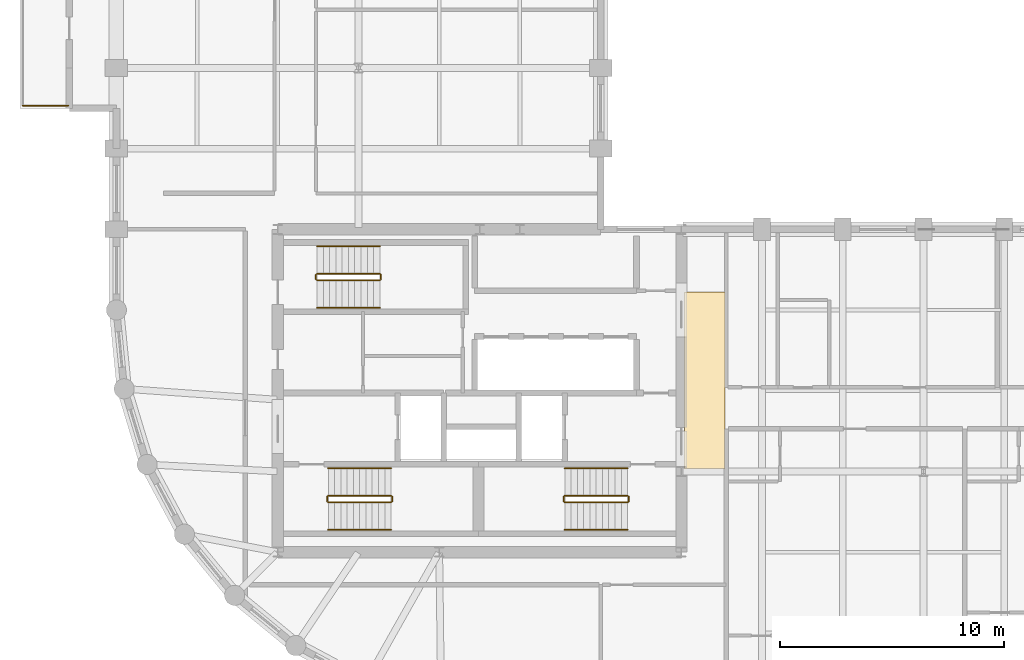
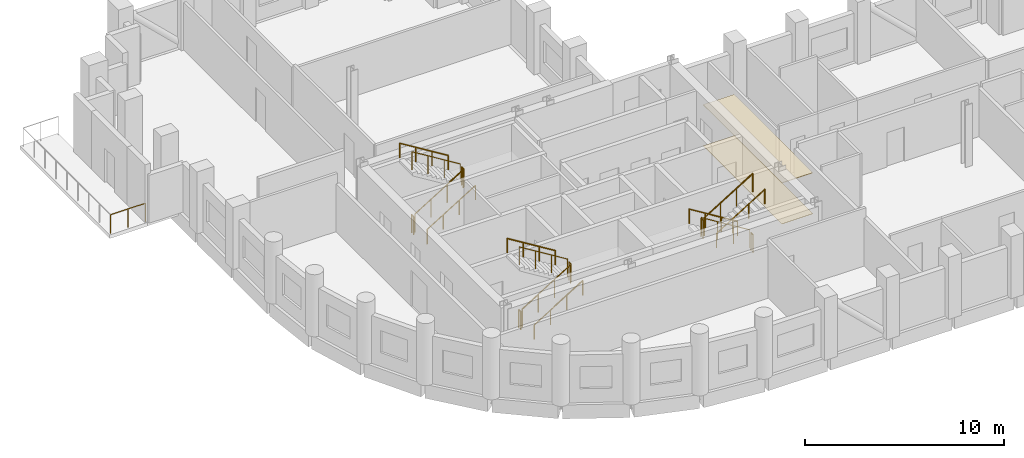
# One storey, part 8 of 9: 19 railings, 2 coverings.
"""IFC4 building model written with IfcOpenShell, lengths in metres."""

from ifc_helpers import new_model, si_unit, direction, frame, origin, origin_2d, place, context, subcontext, project, spatial, polyline, circle, outline, extrude, material, layer, layer_set, type_object, element, save


model = new_model("IFC4")

# Units and contexts
model_context = context("Model", 3, precision=1e-05, world=origin(), true_north=direction((0.0, 1.0)))
body_context = subcontext(model_context, "Body", "Model", "MODEL_VIEW")
ifc_project = project(units=[si_unit("LENGTHUNIT", "METRE"), si_unit("AREAUNIT", "SQUARE_METRE"), si_unit("VOLUMEUNIT", "CUBIC_METRE"), si_unit("PLANEANGLEUNIT", "RADIAN"), si_unit("MASSUNIT", "GRAM", prefix="KILO")], contexts=[model_context])

# Site, building, storey
site_placement = place(None, origin())
site = spatial("IfcSite", under=ifc_project, at=site_placement, CompositionType="ELEMENT")
building_placement = place(site_placement, origin())
building = spatial("IfcBuilding", under=site, at=building_placement, Name="Solnavia Interchange Tower", CompositionType="ELEMENT")
storey_placement = place(building_placement, frame((0.0, 0.0, 154.199951171875)))
storey = spatial("IfcBuildingStorey", under=building, at=storey_placement, Name="L38", CompositionType="ELEMENT", Elevation=154.199951171875)

# Coverings
ifc_material_1 = material(Name="Perforated Mineral-Fibre & Gypsum Ceiling", Category="gypsum")
ifc_layer_1 = layer(ifc_material_1, 0.0400390625)
ifc_layer_set_1 = layer_set([ifc_layer_1], Name="Perforated Mineral-Fibre & Gypsum Ceiling")
covering_type_1 = type_object("IfcCoveringType", Name="Covering-Ceiling-Acoustic40", PredefinedType="CEILING", material=ifc_layer_set_1)
covering_1_placement = place(storey_placement, frame((0.0, 0.0, 2.5)))
element("IfcCovering", 1, at=covering_1_placement, inside=storey, type_object=covering_type_1, Name="CLG-L38-01 Circulation suspended acoustic ceiling", PredefinedType="CEILING", context=body_context, shape_type="SweptSolid", body=[
    extrude(outline(polyline([(32.550048828125, 14.5), (34.35009765625, 14.5), (34.35009765625, 22.39990234375), (32.550048828125, 22.39990234375), (32.550048828125, 14.5)])), origin(), (0.0, 0.0, 1.0), 0.0400390625),
])
ifc_material_2 = material(Name="Engineered European Oak Flooring", Category="wood")
ifc_layer_2 = layer(ifc_material_2, 0.02001953125)
ifc_layer_set_2 = layer_set([ifc_layer_2], Name="Engineered European Oak Flooring")
covering_type_2 = type_object("IfcCoveringType", Name="Covering-Flooring-Timber20", PredefinedType="FLOORING", material=ifc_layer_set_2)
covering_2_placement = place(storey_placement, origin())
element("IfcCovering", 2, at=covering_2_placement, inside=storey, type_object=covering_type_2, Name="FLR-L38-01 Circulation floor finish", PredefinedType="FLOORING", context=body_context, shape_type="SweptSolid", body=[
    extrude(outline(polyline([(32.550048828125, 14.5), (34.35009765625, 14.5), (34.35009765625, 22.39990234375), (32.550048828125, 22.39990234375), (32.550048828125, 14.5)])), origin(), (0.0, 0.0, 1.0), 0.02001953125),
])

# Railings
ifc_material_3 = material(Name="Painted Steel Balustrade", Category="steel")
railing_type_1 = type_object("IfcRailingType", Name="Railing-StairGuard-1100", PredefinedType="GUARDRAIL", material=ifc_material_3)
railing_1_placement = place(storey_placement, frame((16.64990234375, 13.02001953125, 0.1728515625)))
element("IfcRailing", 3, at=railing_1_placement, inside=storey, type_object=railing_type_1, Name="L38 ST-1 stair guard 1", PredefinedType="GUARDRAIL", context=body_context, shape_type="SweptSolid", body=[
    extrude(circle(Radius=0.02392578125, at=origin_2d()), frame((0.0, 0.0, 1.09619140625), z_axis=(0.851089632645, 0.0, 0.525020415988), x_axis=(0.0, 1.0, 0.0)), (0.0, 0.0, 1.0), 3.2900390625),
    extrude(circle(Radius=0.02099609375, at=origin_2d()), origin(), (0.0, 0.0, 1.0), 1.072021484375),
    extrude(circle(Radius=0.02099609375, at=origin_2d()), frame((0.933349609375, 0.0, 0.57568359375)), (0.0, 0.0, 1.0), 1.072021484375),
    extrude(circle(Radius=0.02099609375, at=origin_2d()), frame((1.86669921875, 0.0, 1.151611328125)), (0.0, 0.0, 1.0), 1.072021484375),
    extrude(circle(Radius=0.02099609375, at=origin_2d()), frame((2.800048828125, 0.0, 1.727294921875)), (0.0, 0.0, 1.0), 1.072021484375),
])
railing_2_placement = place(storey_placement, frame((19.5, 13.070068359375, 1.900146484375)))
element("IfcRailing", 4, at=railing_2_placement, inside=storey, type_object=railing_type_1, Name="L38 ST-1 stair guard 2", PredefinedType="GUARDRAIL", context=body_context, shape_type="SweptSolid", body=[
    extrude(circle(Radius=0.02392578125, at=origin_2d()), frame((0.0, 0.0, 1.09619140625), z_axis=(0.0, 1.0, 0.0), x_axis=(-1.0, 0.0, 0.0)), (0.0, 0.0, 1.0), 0.199951171875),
    extrude(circle(Radius=0.02099609375, at=origin_2d()), origin(), (0.0, 0.0, 1.0), 1.072021484375),
    extrude(circle(Radius=0.02099609375, at=origin_2d()), frame((0.0, 0.199951171875, 0.0)), (0.0, 0.0, 1.0), 1.072021484375),
])
railing_3_placement = place(storey_placement, frame((19.449951171875, 13.320068359375, 2.07275390625)))
element("IfcRailing", 5, at=railing_3_placement, inside=storey, type_object=railing_type_1, Name="L38 ST-1 stair guard 3", PredefinedType="GUARDRAIL", context=body_context, shape_type="SweptSolid", body=[
    extrude(circle(Radius=0.02392578125, at=origin_2d()), frame((0.0, 0.0, 1.09619140625), z_axis=(-0.851089632645, 0.0, 0.525020415988), x_axis=(0.0, -1.0, 0.0)), (0.0, 0.0, 1.0), 3.2900390625),
    extrude(circle(Radius=0.02099609375, at=origin_2d()), origin(), (0.0, 0.0, 1.0), 1.072021484375),
    extrude(circle(Radius=0.02099609375, at=origin_2d()), frame((-0.933349609375, 0.0, 0.57568359375)), (0.0, 0.0, 1.0), 1.072021484375),
    extrude(circle(Radius=0.02099609375, at=origin_2d()), frame((-1.86669921875, 0.0, 1.151611328125)), (0.0, 0.0, 1.0), 1.072021484375),
    extrude(circle(Radius=0.02099609375, at=origin_2d()), frame((-2.800048828125, 0.0, 1.727294921875)), (0.0, 0.0, 1.0), 1.072021484375),
])
railing_4_placement = place(storey_placement, frame((16.60009765625, 13.070068359375, 0.0)))
element("IfcRailing", 6, at=railing_4_placement, inside=storey, type_object=railing_type_1, Name="L38 ST-1 stair guard 4", PredefinedType="GUARDRAIL", context=body_context, shape_type="SweptSolid", body=[
    extrude(circle(Radius=0.02392578125, at=origin_2d()), frame((0.0, 0.0, 1.09619140625), z_axis=(0.0, 1.0, 0.0), x_axis=(-1.0, 0.0, 0.0)), (0.0, 0.0, 1.0), 0.199951171875),
    extrude(circle(Radius=0.02099609375, at=origin_2d()), origin(), (0.0, 0.0, 1.0), 1.072021484375),
    extrude(circle(Radius=0.02099609375, at=origin_2d()), frame((0.0, 0.199951171875, 0.0)), (0.0, 0.0, 1.0), 1.072021484375),
])
railing_5_placement = place(storey_placement, frame((30.0, 13.320068359375, 0.1728515625)))
element("IfcRailing", 7, at=railing_5_placement, inside=storey, type_object=railing_type_1, Name="L38 ST-2 stair guard 1", PredefinedType="GUARDRAIL", context=body_context, shape_type="SweptSolid", body=[
    extrude(circle(Radius=0.02392578125, at=origin_2d()), frame((0.0, 0.0, 1.09619140625), z_axis=(-0.851089632645, 0.0, 0.525020415988), x_axis=(0.0, -1.0, 0.0)), (0.0, 0.0, 1.0), 3.2900390625),
    extrude(circle(Radius=0.02099609375, at=origin_2d()), origin(), (0.0, 0.0, 1.0), 1.072021484375),
    extrude(circle(Radius=0.02099609375, at=origin_2d()), frame((-0.933349609375, 0.0, 0.57568359375)), (0.0, 0.0, 1.0), 1.072021484375),
    extrude(circle(Radius=0.02099609375, at=origin_2d()), frame((-1.86669921875, 0.0, 1.151611328125)), (0.0, 0.0, 1.0), 1.072021484375),
    extrude(circle(Radius=0.02099609375, at=origin_2d()), frame((-2.800048828125, 0.0, 1.727294921875)), (0.0, 0.0, 1.0), 1.072021484375),
])
railing_6_placement = place(storey_placement, frame((27.14990234375, 13.27001953125, 1.900146484375)))
element("IfcRailing", 8, at=railing_6_placement, inside=storey, type_object=railing_type_1, Name="L38 ST-2 stair guard 2", PredefinedType="GUARDRAIL", context=body_context, shape_type="SweptSolid", body=[
    extrude(circle(Radius=0.02392578125, at=origin_2d()), frame((0.0, 0.0, 1.09619140625), z_axis=(0.0, -1.0, 0.0), x_axis=(1.0, 0.0, 0.0)), (0.0, 0.0, 1.0), 0.199951171875),
    extrude(circle(Radius=0.02099609375, at=origin_2d()), origin(), (0.0, 0.0, 1.0), 1.072021484375),
    extrude(circle(Radius=0.02099609375, at=origin_2d()), frame((0.0, -0.199951171875, 0.0)), (0.0, 0.0, 1.0), 1.072021484375),
])
railing_7_placement = place(storey_placement, frame((27.199951171875, 13.02001953125, 2.07275390625)))
element("IfcRailing", 9, at=railing_7_placement, inside=storey, type_object=railing_type_1, Name="L38 ST-2 stair guard 3", PredefinedType="GUARDRAIL", context=body_context, shape_type="SweptSolid", body=[
    extrude(circle(Radius=0.02392578125, at=origin_2d()), frame((0.0, 0.0, 1.09619140625), z_axis=(0.851089632645, 0.0, 0.525020415988), x_axis=(0.0, 1.0, 0.0)), (0.0, 0.0, 1.0), 3.2900390625),
    extrude(circle(Radius=0.02099609375, at=origin_2d()), origin(), (0.0, 0.0, 1.0), 1.072021484375),
    extrude(circle(Radius=0.02099609375, at=origin_2d()), frame((0.933349609375, 0.0, 0.57568359375)), (0.0, 0.0, 1.0), 1.072021484375),
    extrude(circle(Radius=0.02099609375, at=origin_2d()), frame((1.86669921875, 0.0, 1.151611328125)), (0.0, 0.0, 1.0), 1.072021484375),
    extrude(circle(Radius=0.02099609375, at=origin_2d()), frame((2.800048828125, 0.0, 1.727294921875)), (0.0, 0.0, 1.0), 1.072021484375),
])
railing_8_placement = place(storey_placement, frame((30.050048828125, 13.27001953125, 0.0)))
element("IfcRailing", 10, at=railing_8_placement, inside=storey, type_object=railing_type_1, Name="L38 ST-2 stair guard 4", PredefinedType="GUARDRAIL", context=body_context, shape_type="SweptSolid", body=[
    extrude(circle(Radius=0.02392578125, at=origin_2d()), frame((0.0, 0.0, 1.09619140625), z_axis=(0.0, -1.0, 0.0), x_axis=(1.0, 0.0, 0.0)), (0.0, 0.0, 1.0), 0.199951171875),
    extrude(circle(Radius=0.02099609375, at=origin_2d()), origin(), (0.0, 0.0, 1.0), 1.072021484375),
    extrude(circle(Radius=0.02099609375, at=origin_2d()), frame((0.0, -0.199951171875, 0.0)), (0.0, 0.0, 1.0), 1.072021484375),
])
railing_9_placement = place(storey_placement, frame((16.14990234375, 22.919921875, 0.1728515625)))
element("IfcRailing", 11, at=railing_9_placement, inside=storey, type_object=railing_type_1, Name="L38 ST-3 stair guard 1", PredefinedType="GUARDRAIL", context=body_context, shape_type="SweptSolid", body=[
    extrude(circle(Radius=0.02392578125, at=origin_2d()), frame((0.0, 0.0, 1.09619140625), z_axis=(0.851089632645, 0.0, 0.525020415988), x_axis=(0.0, 1.0, 0.0)), (0.0, 0.0, 1.0), 3.2900390625),
    extrude(circle(Radius=0.02099609375, at=origin_2d()), origin(), (0.0, 0.0, 1.0), 1.072021484375),
    extrude(circle(Radius=0.02099609375, at=origin_2d()), frame((0.933349609375, 0.0, 0.57568359375)), (0.0, 0.0, 1.0), 1.072021484375),
    extrude(circle(Radius=0.02099609375, at=origin_2d()), frame((1.86669921875, 0.0, 1.151611328125)), (0.0, 0.0, 1.0), 1.072021484375),
    extrude(circle(Radius=0.02099609375, at=origin_2d()), frame((2.800048828125, 0.0, 1.727294921875)), (0.0, 0.0, 1.0), 1.072021484375),
])
railing_10_placement = place(storey_placement, frame((19.0, 22.969970703125, 1.900146484375)))
element("IfcRailing", 12, at=railing_10_placement, inside=storey, type_object=railing_type_1, Name="L38 ST-3 stair guard 2", PredefinedType="GUARDRAIL", context=body_context, shape_type="SweptSolid", body=[
    extrude(circle(Radius=0.02392578125, at=origin_2d()), frame((0.0, 0.0, 1.09619140625), z_axis=(0.0, 1.0, 0.0), x_axis=(-1.0, 0.0, 0.0)), (0.0, 0.0, 1.0), 0.199951171875),
    extrude(circle(Radius=0.02099609375, at=origin_2d()), origin(), (0.0, 0.0, 1.0), 1.072021484375),
    extrude(circle(Radius=0.02099609375, at=origin_2d()), frame((0.0, 0.199951171875, 0.0)), (0.0, 0.0, 1.0), 1.072021484375),
])
railing_11_placement = place(storey_placement, frame((18.949951171875, 23.219970703125, 2.07275390625)))
element("IfcRailing", 13, at=railing_11_placement, inside=storey, type_object=railing_type_1, Name="L38 ST-3 stair guard 3", PredefinedType="GUARDRAIL", context=body_context, shape_type="SweptSolid", body=[
    extrude(circle(Radius=0.02392578125, at=origin_2d()), frame((0.0, 0.0, 1.09619140625), z_axis=(-0.851089632645, 0.0, 0.525020415988), x_axis=(0.0, -1.0, 0.0)), (0.0, 0.0, 1.0), 3.2900390625),
    extrude(circle(Radius=0.02099609375, at=origin_2d()), origin(), (0.0, 0.0, 1.0), 1.072021484375),
    extrude(circle(Radius=0.02099609375, at=origin_2d()), frame((-0.933349609375, 0.0, 0.57568359375)), (0.0, 0.0, 1.0), 1.072021484375),
    extrude(circle(Radius=0.02099609375, at=origin_2d()), frame((-1.86669921875, 0.0, 1.151611328125)), (0.0, 0.0, 1.0), 1.072021484375),
    extrude(circle(Radius=0.02099609375, at=origin_2d()), frame((-2.800048828125, 0.0, 1.727294921875)), (0.0, 0.0, 1.0), 1.072021484375),
])
railing_12_placement = place(storey_placement, frame((16.10009765625, 22.969970703125, 0.0)))
element("IfcRailing", 14, at=railing_12_placement, inside=storey, type_object=railing_type_1, Name="L38 ST-3 stair guard 4", PredefinedType="GUARDRAIL", context=body_context, shape_type="SweptSolid", body=[
    extrude(circle(Radius=0.02392578125, at=origin_2d()), frame((0.0, 0.0, 1.09619140625), z_axis=(0.0, 1.0, 0.0), x_axis=(-1.0, 0.0, 0.0)), (0.0, 0.0, 1.0), 0.199951171875),
    extrude(circle(Radius=0.02099609375, at=origin_2d()), origin(), (0.0, 0.0, 1.0), 1.072021484375),
    extrude(circle(Radius=0.02099609375, at=origin_2d()), frame((0.0, 0.199951171875, 0.0)), (0.0, 0.0, 1.0), 1.072021484375),
])
ifc_material_4 = material(Name="Brushed Stainless Steel", Category="steel")
railing_type_2 = type_object("IfcRailingType", Name="Railing-StairHandrail-900", PredefinedType="HANDRAIL", material=ifc_material_4)
railing_13_placement = place(storey_placement, frame((16.64990234375, 11.800048828125, 0.1728515625)))
element("IfcRailing", 15, at=railing_13_placement, inside=storey, type_object=railing_type_2, Name="L38 ST-1 stair handrail 1", PredefinedType="HANDRAIL", context=body_context, shape_type="SweptSolid", body=[
    extrude(circle(Radius=0.02392578125, at=origin_2d()), frame((0.0, 0.0, 0.8759765625), z_axis=(0.851089632645, 0.0, 0.525020415988), x_axis=(0.0, 1.0, 0.0)), (0.0, 0.0, 1.0), 3.2900390625),
    extrude(circle(Radius=0.02099609375, at=origin_2d()), origin(), (0.0, 0.0, 1.0), 0.851806640625),
    extrude(circle(Radius=0.02099609375, at=origin_2d()), frame((0.933349609375, 0.0, 0.57568359375)), (0.0, 0.0, 1.0), 0.851806640625),
    extrude(circle(Radius=0.02099609375, at=origin_2d()), frame((1.86669921875, 0.0, 1.151611328125)), (0.0, 0.0, 1.0), 0.851806640625),
    extrude(circle(Radius=0.02099609375, at=origin_2d()), frame((2.800048828125, 0.0, 1.727294921875)), (0.0, 0.0, 1.0), 0.851806640625),
])
for number, where, name in (
    (16, (19.449951171875, 14.5400390625, 2.07275390625), "L38 ST-1 stair handrail 2"),
    (17, (30.0, 14.5400390625, 0.1728515625), "L38 ST-2 stair handrail 1"),
):
    element("IfcRailing", number, at=place(storey_placement, frame(where)), inside=storey, type_object=railing_type_2, Name=name, PredefinedType="HANDRAIL", context=body_context, shape_type="SweptSolid", body=[
        extrude(circle(Radius=0.02392578125, at=origin_2d()), frame((0.0, 0.0, 0.8759765625), z_axis=(-0.851089632645, 0.0, 0.525020415988), x_axis=(0.0, -1.0, 0.0)), (0.0, 0.0, 1.0), 3.2900390625),
        extrude(circle(Radius=0.02099609375, at=origin_2d()), origin(), (0.0, 0.0, 1.0), 0.851806640625),
        extrude(circle(Radius=0.02099609375, at=origin_2d()), frame((-0.933349609375, 0.0, 0.57568359375)), (0.0, 0.0, 1.0), 0.851806640625),
        extrude(circle(Radius=0.02099609375, at=origin_2d()), frame((-1.86669921875, 0.0, 1.151611328125)), (0.0, 0.0, 1.0), 0.851806640625),
        extrude(circle(Radius=0.02099609375, at=origin_2d()), frame((-2.800048828125, 0.0, 1.727294921875)), (0.0, 0.0, 1.0), 0.851806640625),
    ])
for number, where, name in (
    (18, (27.199951171875, 11.800048828125, 2.07275390625), "L38 ST-2 stair handrail 2"),
    (19, (16.14990234375, 21.699951171875, 0.1728515625), "L38 ST-3 stair handrail 1"),
):
    element("IfcRailing", number, at=place(storey_placement, frame(where)), inside=storey, type_object=railing_type_2, Name=name, PredefinedType="HANDRAIL", context=body_context, shape_type="SweptSolid", body=[
        extrude(circle(Radius=0.02392578125, at=origin_2d()), frame((0.0, 0.0, 0.8759765625), z_axis=(0.851089632645, 0.0, 0.525020415988), x_axis=(0.0, 1.0, 0.0)), (0.0, 0.0, 1.0), 3.2900390625),
        extrude(circle(Radius=0.02099609375, at=origin_2d()), origin(), (0.0, 0.0, 1.0), 0.851806640625),
        extrude(circle(Radius=0.02099609375, at=origin_2d()), frame((0.933349609375, 0.0, 0.57568359375)), (0.0, 0.0, 1.0), 0.851806640625),
        extrude(circle(Radius=0.02099609375, at=origin_2d()), frame((1.86669921875, 0.0, 1.151611328125)), (0.0, 0.0, 1.0), 0.851806640625),
        extrude(circle(Radius=0.02099609375, at=origin_2d()), frame((2.800048828125, 0.0, 1.727294921875)), (0.0, 0.0, 1.0), 0.851806640625),
    ])
railing_14_placement = place(storey_placement, frame((18.949951171875, 24.43994140625, 2.07275390625)))
element("IfcRailing", 20, at=railing_14_placement, inside=storey, type_object=railing_type_2, Name="L38 ST-3 stair handrail 2", PredefinedType="HANDRAIL", context=body_context, shape_type="SweptSolid", body=[
    extrude(circle(Radius=0.02392578125, at=origin_2d()), frame((0.0, 0.0, 0.8759765625), z_axis=(-0.851089632645, 0.0, 0.525020415988), x_axis=(0.0, -1.0, 0.0)), (0.0, 0.0, 1.0), 3.2900390625),
    extrude(circle(Radius=0.02099609375, at=origin_2d()), origin(), (0.0, 0.0, 1.0), 0.851806640625),
    extrude(circle(Radius=0.02099609375, at=origin_2d()), frame((-0.933349609375, 0.0, 0.57568359375)), (0.0, 0.0, 1.0), 0.851806640625),
    extrude(circle(Radius=0.02099609375, at=origin_2d()), frame((-1.86669921875, 0.0, 1.151611328125)), (0.0, 0.0, 1.0), 0.851806640625),
    extrude(circle(Radius=0.02099609375, at=origin_2d()), frame((-2.800048828125, 0.0, 1.727294921875)), (0.0, 0.0, 1.0), 0.851806640625),
])
ifc_material_5 = material(Name="Laminated Safety Glass & Stainless Steel", Category="steel")
railing_type_3 = type_object("IfcRailingType", Name="Railing-TerraceGuard-1150", PredefinedType="GUARDRAIL", material=ifc_material_5)
railing_15_placement = place(storey_placement, frame((5.050048828125, 30.719970703125, -0.0400390625)))
element("IfcRailing", 21, at=railing_15_placement, inside=storey, type_object=railing_type_3, Name="GRD-L38-TER-01 Perimeter terrace guardrail", PredefinedType="GUARDRAIL", context=body_context, shape_type="SweptSolid", body=[
    extrude(circle(Radius=0.02392578125, at=origin_2d()), frame((0.0, 0.0, 1.1259765625), z_axis=(-1.0, 0.0, 0.0), x_axis=(0.0, -1.0, 0.0)), (0.0, 0.0, 1.0), 2.030029296875),
    extrude(circle(Radius=0.02099609375, at=origin_2d()), origin(), (0.0, 0.0, 1.0), 1.101806640625),
    extrude(circle(Radius=0.02099609375, at=origin_2d()), frame((-1.01513671875, 0.0, 0.0)), (0.0, 0.0, 1.0), 1.101806640625),
    extrude(circle(Radius=0.02099609375, at=origin_2d()), frame((-2.030029296875, 0.0, 0.0)), (0.0, 0.0, 1.0), 1.101806640625),
])

save(model, "model.ifc")
